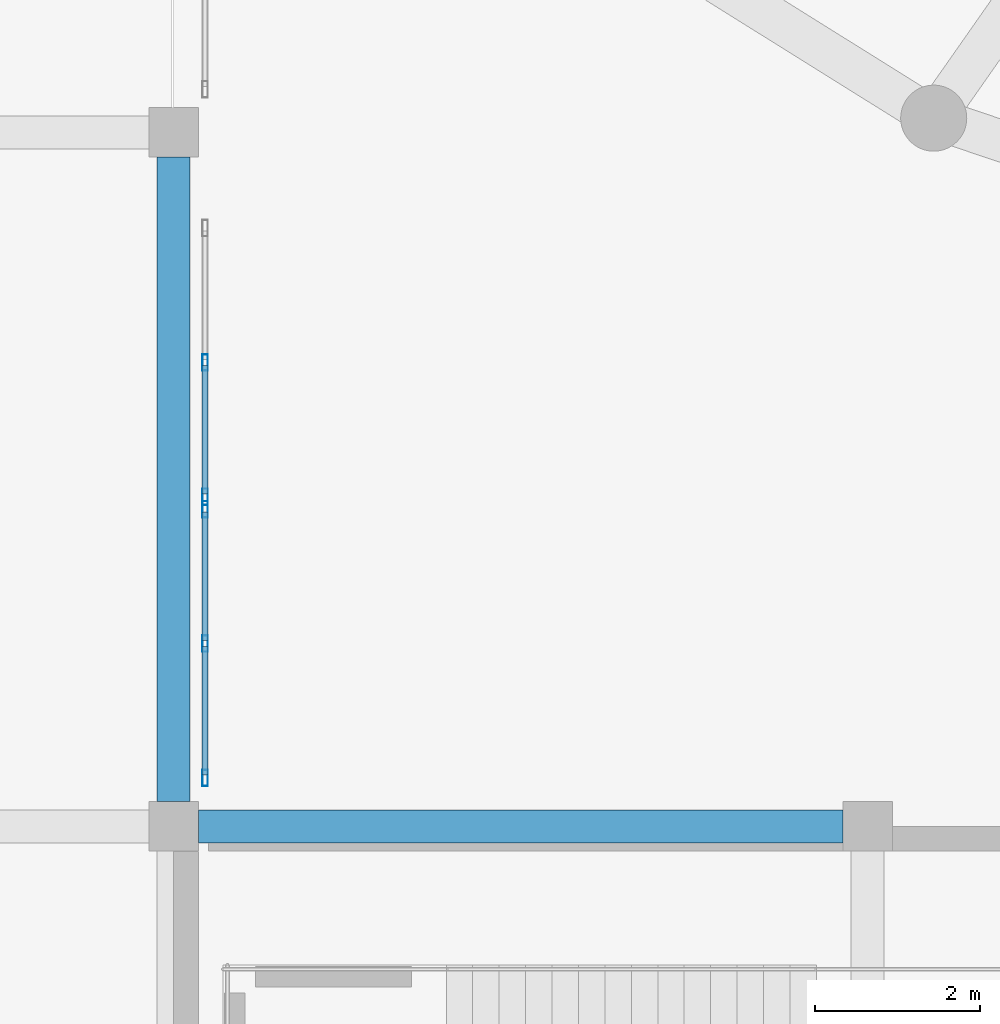
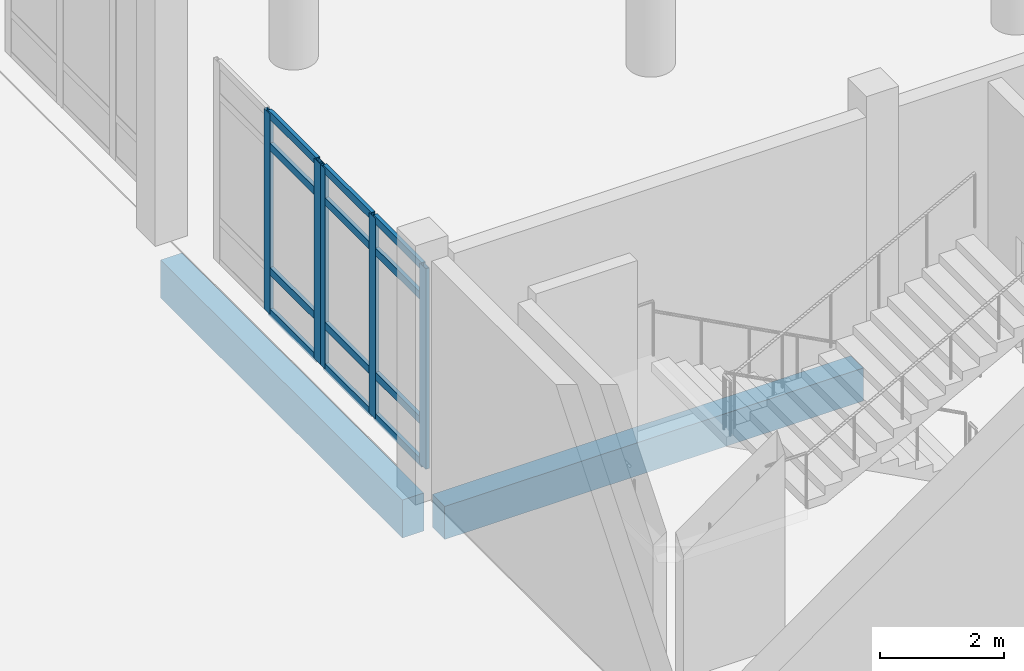
# One storey, part 3 of 64: 17 members, 2 beams, 2 elements without a shape of their own.
"""IFC4 building model written with IfcOpenShell, lengths in metres."""

import ifcopenshell
import ifcopenshell.guid

model = None  # the IFC model being written
_history = None  # IfcOwnerHistory: only IFC2X3 demands one
_inside = {}  # id of a spatial element -> (the spatial element, [elements in it])
_under = {}  # id of a project, library or spatial element -> (it, [spatial elements below it])
_declared = {}  # id of a project -> (the project, [libraries it declares])
_typed = {}  # id of a type object -> (the type object, [elements of that type])
_made_of = {}  # id of a material, layer set ... -> (it, [elements and type objects made of it])


def new_model(schema):
    """Start an empty IFC model of exactly this schema.

    Asked for "IFC4X3", IfcOpenShell would pick the latest addendum, in which some entities
    have other attributes; the version numbers below select the first issue.
    IFC2X3 requires an IfcOwnerHistory on every rooted entity: one is made here for all.
    """
    global model, _history
    if schema == "IFC4X3":
        model = ifcopenshell.file(schema_version=(4, 3, 0, 0))
    else:
        model = ifcopenshell.file(schema=schema)
    _inside.clear()
    _under.clear()
    _declared.clear()
    _typed.clear()
    _made_of.clear()
    _history = None
    if model.schema == "IFC2X3":
        org = make("IfcOrganization", Name="unknown")
        user = make(
            "IfcPersonAndOrganization",
            ThePerson=make("IfcPerson", FamilyName="unknown"),
            TheOrganization=org,
        )
        app = make(
            "IfcApplication",
            ApplicationDeveloper=org,
            Version="unknown",
            ApplicationFullName="unknown",
            ApplicationIdentifier="unknown",
        )
        _history = make(
            "IfcOwnerHistory",
            OwningUser=user,
            OwningApplication=app,
            ChangeAction="ADDED",
            CreationDate=0,
        )
    return model


def make(cls, **values):
    """One entity of the class cls with the attributes given. An attribute that is None is left unset."""
    return model.create_entity(
        cls, **{name: value for name, value in values.items() if value is not None}
    )


def rooted(cls, **values):
    """An entity with a GlobalId (a new one), such as an element, a storey or a relation."""
    return make(cls, GlobalId=ifcopenshell.guid.new(), OwnerHistory=_history, **values)


def si_unit(unit_type, name, prefix=None):
    """IfcSIUnit, for example si_unit("LENGTHUNIT", "METRE", prefix="MILLI")."""
    return make("IfcSIUnit", UnitType=unit_type, Prefix=prefix, Name=name)


def derived_unit(unit_type, elements):
    """IfcDerivedUnit: a product of units, each with its exponent."""
    return make(
        "IfcDerivedUnit",
        Elements=[
            make("IfcDerivedUnitElement", Unit=unit, Exponent=power)
            for unit, power in elements
        ],
        UnitType=unit_type,
    )


def assignment(units):
    """IfcUnitAssignment: the units of a project."""
    return None if units is None else make("IfcUnitAssignment", Units=units)


def point(xyz):
    """IfcCartesianPoint."""
    return None if xyz is None else make("IfcCartesianPoint", Coordinates=xyz)


def direction(xyz):
    """IfcDirection."""
    return None if xyz is None else make("IfcDirection", DirectionRatios=xyz)


def frame(location, z_axis=None, x_axis=None):
    """IfcAxis2Placement3D, a coordinate frame: its origin and axes. An axis left out is left unset."""
    return make(
        "IfcAxis2Placement3D",
        Location=point(location),
        Axis=direction(z_axis),
        RefDirection=direction(x_axis),
    )


def frame_2d(location, x_axis=None):
    """IfcAxis2Placement2D, a coordinate frame in the plane: its origin and x axis."""
    return make(
        "IfcAxis2Placement2D", Location=point(location), RefDirection=direction(x_axis)
    )


def origin():
    """The frame at (0, 0, 0) with its axes left unset."""
    return frame((0.0, 0.0, 0.0))


def origin_2d():
    """The frame at (0, 0) in the plane with its x axis left unset."""
    return frame_2d((0.0, 0.0))


def place(relative_to, where):
    """IfcLocalPlacement: puts the frame where relative to a parent placement (None: the world)."""
    return make(
        "IfcLocalPlacement", PlacementRelTo=relative_to, RelativePlacement=where
    )


def context(
    kind, dimensions, precision=None, world=None, true_north=None, identifier=None
):
    """IfcGeometricRepresentationContext, for example the 3D "Model" context."""
    return make(
        "IfcGeometricRepresentationContext",
        ContextIdentifier=identifier,
        ContextType=kind,
        CoordinateSpaceDimension=dimensions,
        Precision=precision,
        WorldCoordinateSystem=world,
        TrueNorth=true_north,
    )


def subcontext(parent, identifier, kind, view, scale=None):
    """IfcGeometricRepresentationSubContext, for example "Body" below "Model"."""
    return make(
        "IfcGeometricRepresentationSubContext",
        ContextIdentifier=identifier,
        ContextType=kind,
        ParentContext=parent,
        TargetScale=scale,
        TargetView=view,
    )


def project(units=None, contexts=None):
    """IfcProject with its units and contexts."""
    return rooted(
        "IfcProject",
        Name="project",
        RepresentationContexts=contexts,
        UnitsInContext=assignment(units),
    )


def spatial(cls, under=None, at=None, **own):
    """A site, building, storey or space (cls), placed at a placement, below another one or the project."""
    s = rooted(cls, ObjectPlacement=at, **own)
    if under is not None:
        _under.setdefault(under.id(), (under, []))[1].append(s)
    return s


def profile(cls, at=None, kind="AREA", **sizes):
    """A parametric profile (cls). Its sizes go by their IFC names, for example OverallWidth=200.0."""
    return make(cls, ProfileType=kind, Position=at, **sizes)


def rectangle(**sizes):
    """IfcRectangleProfileDef."""
    return profile("IfcRectangleProfileDef", **sizes)


def hollow_rectangle(**sizes):
    """IfcRectangleHollowProfileDef."""
    return profile("IfcRectangleHollowProfileDef", **sizes)


def extrude(swept, where, along, depth):
    """IfcExtrudedAreaSolid: the profile swept, set in the frame where, extruded along a direction by depth."""
    return make(
        "IfcExtrudedAreaSolid",
        SweptArea=swept,
        Position=where,
        ExtrudedDirection=direction(along),
        Depth=depth,
    )


def shape(context_of_items, identifier, shape_type, items):
    """IfcShapeRepresentation: the items that make up one representation, for example the "Body"."""
    return make(
        "IfcShapeRepresentation",
        ContextOfItems=context_of_items,
        RepresentationIdentifier=identifier,
        RepresentationType=shape_type,
        Items=items,
    )


def material(Name=None, Category=None):
    """IfcMaterial."""
    return make("IfcMaterial", Name=Name, Category=Category)


def layer(
    of_material, thickness, ventilated=None, Name=None, Category=None, Priority=None
):
    """IfcMaterialLayer: one layer of a wall or slab, of a material (None: an air gap)."""
    return make(
        "IfcMaterialLayer",
        Material=of_material,
        LayerThickness=thickness,
        IsVentilated=ventilated,
        Name=Name,
        Category=Category,
        Priority=Priority,
    )


def layer_set(layers, Name=None):
    """IfcMaterialLayerSet."""
    return make("IfcMaterialLayerSet", MaterialLayers=layers, LayerSetName=Name)


def material_profile(
    of_material, cross_section, Name=None, Category=None, Priority=None
):
    """IfcMaterialProfile: a cross section and its material."""
    return make(
        "IfcMaterialProfile",
        Name=Name,
        Material=of_material,
        Profile=cross_section,
        Priority=Priority,
        Category=Category,
    )


def profile_set(profiles, Name=None, composite=None):
    """IfcMaterialProfileSet."""
    return make(
        "IfcMaterialProfileSet",
        Name=Name,
        MaterialProfiles=profiles,
        CompositeProfile=composite,
    )


def made_of(thing, what):
    """Note that an element or type object is made of a material, layer set ...; save() writes the relation."""
    if what is not None:
        _made_of.setdefault(what.id(), (what, []))[1].append(thing)
    return thing


def type_object(cls, material=None, **own):
    """A type object (cls), such as IfcWallType, which elements share."""
    return made_of(rooted(cls, **own), material)


def element(
    cls,
    number,
    at=None,
    inside=None,
    cuts=None,
    type_object=None,
    material=None,
    context=None,
    identifier="Body",
    shape_type=None,
    held_by="IfcProductDefinitionShape",
    body=None,
    shapes=None,
    **own,
):
    """One element of the class cls, such as IfcWall. Its Tag is "e" and its number.

    at: its placement. inside: the storey or other place that contains it. cuts: it is an
    opening in that element (IfcRelVoidsElement). A single representation is given by context,
    identifier, shape_type and body (its items); several are given by shapes. held_by: the class
    of the entity that holds the representations. save() writes the other relations.
    """
    e = rooted(cls, Tag="e%d" % number, ObjectPlacement=at, **own)
    if body is not None:
        shapes = [shape(context, identifier, shape_type, body)]
    if shapes is not None:
        e.Representation = make(held_by, Representations=shapes)
    if inside is not None:
        _inside.setdefault(inside.id(), (inside, []))[1].append(e)
    if cuts is not None:
        rooted(
            "IfcRelVoidsElement", RelatingBuildingElement=cuts, RelatedOpeningElement=e
        )
    if type_object is not None:
        _typed.setdefault(type_object.id(), (type_object, []))[1].append(e)
    return made_of(e, material)


def aggregate(whole, parts):
    """IfcRelAggregates: a whole, such as a stair, and the parts it consists of."""
    return rooted("IfcRelAggregates", RelatingObject=whole, RelatedObjects=parts)


def save(model, path):
    """Write the relations noted so far, then the file.

    IfcRelAggregates (storeys below a building ...), IfcRelContainedInSpatialStructure (elements
    in a storey), IfcRelDefinesByType, IfcRelAssociatesMaterial and IfcRelDeclares: one each for
    every whole, place, type object, material and project.
    """
    for whole, parts in _under.values():
        aggregate(whole, parts)
    for where, things in _inside.values():
        rooted(
            "IfcRelContainedInSpatialStructure",
            RelatedElements=things,
            RelatingStructure=where,
        )
    for kind, things in _typed.values():
        rooted("IfcRelDefinesByType", RelatedObjects=things, RelatingType=kind)
    for what, things in _made_of.values():
        rooted("IfcRelAssociatesMaterial", RelatedObjects=things, RelatingMaterial=what)
    for by, libraries in _declared.values():
        rooted("IfcRelDeclares", RelatingContext=by, RelatedDefinitions=libraries)
    model.write(path)


model = new_model("IFC4")

# Units and contexts
model_context = context("Model", 3, precision=1e-05, world=origin(), true_north=direction((0.0, 1.0)))
body_context = subcontext(model_context, "Body", "Model", "MODEL_VIEW")
ifc_project = project(units=[si_unit("LENGTHUNIT", "METRE"), si_unit("AREAUNIT", "SQUARE_METRE"), si_unit("VOLUMEUNIT", "CUBIC_METRE"), si_unit("PLANEANGLEUNIT", "RADIAN"), si_unit("MASSUNIT", "GRAM", prefix="KILO"), derived_unit("THERMALTRANSMITTANCEUNIT", [(si_unit("POWERUNIT", "WATT"), 1), (si_unit("LENGTHUNIT", "METRE"), -2), (si_unit("THERMODYNAMICTEMPERATUREUNIT", "KELVIN"), -1)])], contexts=[model_context])

# Site, building, storey
site_placement = place(None, origin())
site = spatial("IfcSite", under=ifc_project, at=site_placement, CompositionType="ELEMENT")
building_placement = place(site_placement, origin())
building = spatial("IfcBuilding", under=site, at=building_placement, Name="Elbkamm Science Centre", CompositionType="ELEMENT")
storey_placement = place(building_placement, origin())
storey = spatial("IfcBuildingStorey", under=building, at=storey_placement, Name="L00", CompositionType="ELEMENT", Elevation=0.0)

# Beams
ifc_material_1 = material(Name="Concrete C40/50", Category="concrete")
ifc_material_profile_1 = material_profile(ifc_material_1, rectangle(XDim=0.39990234375, YDim=0.64990234375, at=origin_2d()), Name="RC 400x650")
ifc_profile_set_1 = profile_set([ifc_material_profile_1], Name="Concrete C40/50")
beam_type_1 = type_object("IfcBeamType", Name="BM-RC-400x650", PredefinedType="BEAM", material=ifc_profile_set_1)
beam_1_placement = place(storey_placement, frame((42.300048828125, 42.0, -0.625), z_axis=(1.0, 0.0, 0.0), x_axis=(0.0, 1.0, 0.0)))
element("IfcBeam", 1, at=beam_1_placement, inside=storey, type_object=beam_type_1, Name="L00 Primary X-Girder 037", PredefinedType="BEAM", context=body_context, shape_type="SweptSolid", body=[
    extrude(rectangle(XDim=0.39990234375, YDim=0.64990234375, at=origin_2d()), origin(), (0.0, 0.0, 1.0), 7.800048828125),
])
ifc_material_profile_2 = material_profile(ifc_material_1, rectangle(XDim=0.39990234375, YDim=0.75, at=origin_2d()), Name="RC 400x750")
ifc_profile_set_2 = profile_set([ifc_material_profile_2], Name="Concrete C40/50")
beam_type_2 = type_object("IfcBeamType", Name="BM-RC-400x750", PredefinedType="BEAM", material=ifc_profile_set_2)
beam_2_placement = place(storey_placement, frame((42.0, 42.300048828125, -0.675048828125), z_axis=(0.0, 1.0, 0.0), x_axis=(-1.0, 0.0, 0.0)))
element("IfcBeam", 2, at=beam_2_placement, inside=storey, type_object=beam_type_2, Name="L00 Primary Y-Girder 016", PredefinedType="BEAM", context=body_context, shape_type="SweptSolid", body=[
    extrude(rectangle(XDim=0.39990234375, YDim=0.75, at=origin_2d()), origin(), (0.0, 0.0, 1.0), 7.800048828125),
])

# Curtain wall, members
ifc_material_2 = material(Name="Powder-coated aluminium and triple low-E glazing", Category="aluminium")
ifc_layer = layer(ifc_material_2, 0.159912109375)
ifc_layer_set = layer_set([ifc_layer], Name="Powder-coated aluminium and triple low-E glazing")
curtain_wall_type = type_object("IfcCurtainWallType", Name="CW-UNIT-3320x3960", PredefinedType="USERDEFINED", material=ifc_layer_set)
curtain_wall_1_placement = place(storey_placement, origin())
curtain_wall_1 = element("IfcCurtainWall", 3, at=curtain_wall_1_placement, inside=storey, type_object=curtain_wall_type, Name="L00 Unitised Curtain Wall 144", ObjectType="UNITISED CURTAIN WALL", PredefinedType="USERDEFINED")
ifc_material_3 = material(Name="Powder-coated aluminium EN AW-6060", Category="aluminium")
ifc_material_profile_3 = material_profile(ifc_material_3, hollow_rectangle(XDim=0.070068359375, YDim=0.199951171875, WallThickness=0.00439453125, at=origin_2d()), Name="ALU M70x200")
ifc_profile_set_3 = profile_set([ifc_material_profile_3], Name="Powder-coated aluminium EN AW-6060")
member_type_1 = type_object("IfcMemberType", Name="CW-MUL-70x200", PredefinedType="MULLION", material=ifc_profile_set_3)
member_1_placement = place(storey_placement, frame((42.3798828125, 42.5849609375, 0.0), z_axis=(0.0, 0.0, 1.0), x_axis=(-1.0, 0.0, 0.0)))
member_1 = element("IfcMember", 4, at=member_1_placement, type_object=member_type_1, Name="CW-067 mullion 1", PredefinedType="MULLION", context=body_context, shape_type="SweptSolid", body=[
    extrude(hollow_rectangle(XDim=0.070068359375, YDim=0.199951171875, WallThickness=0.00439453125, at=origin_2d()), origin(), (0.0, 0.0, 1.0), 3.949951171875),
])
member_2_placement = place(storey_placement, frame((42.3798828125, 44.21142578125, 0.0), z_axis=(0.0, 0.0, 1.0), x_axis=(-1.0, 0.0, 0.0)))
member_2 = element("IfcMember", 5, at=member_2_placement, type_object=member_type_1, Name="CW-067 mullion 2", PredefinedType="MULLION", context=body_context, shape_type="SweptSolid", body=[
    extrude(hollow_rectangle(XDim=0.070068359375, YDim=0.199951171875, WallThickness=0.00439453125, at=origin_2d()), origin(), (0.0, 0.0, 1.0), 3.949951171875),
])
member_3_placement = place(storey_placement, frame((42.3798828125, 45.837890625, 0.0), z_axis=(0.0, 0.0, 1.0), x_axis=(-1.0, 0.0, 0.0)))
member_3 = element("IfcMember", 6, at=member_3_placement, type_object=member_type_1, Name="CW-067 mullion 3", PredefinedType="MULLION", context=body_context, shape_type="SweptSolid", body=[
    extrude(hollow_rectangle(XDim=0.070068359375, YDim=0.199951171875, WallThickness=0.00439453125, at=origin_2d()), origin(), (0.0, 0.0, 1.0), 3.949951171875),
])

curtain_wall_2_placement = place(storey_placement, origin())
curtain_wall_2 = element("IfcCurtainWall", 7, at=curtain_wall_2_placement, inside=storey, type_object=curtain_wall_type, Name="L00 Unitised Curtain Wall 145", ObjectType="UNITISED CURTAIN WALL", PredefinedType="USERDEFINED")
member_4_placement = place(storey_placement, frame((42.3798828125, 45.988037109375, 0.0), z_axis=(0.0, 0.0, 1.0), x_axis=(-1.0, 0.0, 0.0)))
member_4 = element("IfcMember", 8, at=member_4_placement, type_object=member_type_1, Name="CW-067 mullion 1", PredefinedType="MULLION", context=body_context, shape_type="SweptSolid", body=[
    extrude(hollow_rectangle(XDim=0.070068359375, YDim=0.199951171875, WallThickness=0.00439453125, at=origin_2d()), origin(), (0.0, 0.0, 1.0), 3.949951171875),
])
member_5_placement = place(storey_placement, frame((42.3798828125, 47.614501953125, 0.0), z_axis=(0.0, 0.0, 1.0), x_axis=(-1.0, 0.0, 0.0)))
member_5 = element("IfcMember", 9, at=member_5_placement, type_object=member_type_1, Name="CW-067 mullion 2", PredefinedType="MULLION", context=body_context, shape_type="SweptSolid", body=[
    extrude(hollow_rectangle(XDim=0.070068359375, YDim=0.199951171875, WallThickness=0.00439453125, at=origin_2d()), origin(), (0.0, 0.0, 1.0), 3.949951171875),
])

# Member
ifc_material_profile_4 = material_profile(ifc_material_3, hollow_rectangle(XDim=0.070068359375, YDim=0.14990234375, WallThickness=0.00390625, at=origin_2d()), Name="ALU T70x150")
ifc_profile_set_4 = profile_set([ifc_material_profile_4], Name="Powder-coated aluminium EN AW-6060")
member_type_2 = type_object("IfcMemberType", Name="CW-TRN-70x150", PredefinedType="USERDEFINED", material=ifc_profile_set_4)
member_6_placement = place(storey_placement, frame((42.3798828125, 42.6201171875, 0.034912109375), z_axis=(0.0, 1.0, 0.0), x_axis=(-1.0, 0.0, 0.0)))
member_6 = element("IfcMember", 10, at=member_6_placement, type_object=member_type_2, Name="CW-067 transom 1.1", ObjectType="TRANSOM", PredefinedType="USERDEFINED", context=body_context, shape_type="SweptSolid", body=[
    extrude(hollow_rectangle(XDim=0.070068359375, YDim=0.14990234375, WallThickness=0.00390625, at=origin_2d()), origin(), (0.0, 0.0, 1.0), 1.556396484375),
])

member_7_placement = place(storey_placement, frame((42.3798828125, 42.6201171875, 0.85009765625), z_axis=(0.0, 1.0, 0.0), x_axis=(-1.0, 0.0, 0.0)))
member_7 = element("IfcMember", 11, at=member_7_placement, type_object=member_type_2, Name="CW-067 transom 1.2", ObjectType="TRANSOM", PredefinedType="USERDEFINED", context=body_context, shape_type="SweptSolid", body=[
    extrude(hollow_rectangle(XDim=0.070068359375, YDim=0.14990234375, WallThickness=0.00390625, at=origin_2d()), origin(), (0.0, 0.0, 1.0), 1.556396484375),
])

member_8_placement = place(storey_placement, frame((42.3798828125, 42.6201171875, 3.300048828125), z_axis=(0.0, 1.0, 0.0), x_axis=(-1.0, 0.0, 0.0)))
member_8 = element("IfcMember", 12, at=member_8_placement, type_object=member_type_2, Name="CW-067 transom 1.3", ObjectType="TRANSOM", PredefinedType="USERDEFINED", context=body_context, shape_type="SweptSolid", body=[
    extrude(hollow_rectangle(XDim=0.070068359375, YDim=0.14990234375, WallThickness=0.00390625, at=origin_2d()), origin(), (0.0, 0.0, 1.0), 1.556396484375),
])

member_9_placement = place(storey_placement, frame((42.3798828125, 42.6201171875, 3.9150390625), z_axis=(0.0, 1.0, 0.0), x_axis=(-1.0, 0.0, 0.0)))
member_9 = element("IfcMember", 13, at=member_9_placement, type_object=member_type_2, Name="CW-067 transom 1.4", ObjectType="TRANSOM", PredefinedType="USERDEFINED", context=body_context, shape_type="SweptSolid", body=[
    extrude(hollow_rectangle(XDim=0.070068359375, YDim=0.14990234375, WallThickness=0.00390625, at=origin_2d()), origin(), (0.0, 0.0, 1.0), 1.556396484375),
])

member_10_placement = place(storey_placement, frame((42.3798828125, 44.24658203125, 0.034912109375), z_axis=(0.0, 1.0, 0.0), x_axis=(-1.0, 0.0, 0.0)))
member_10 = element("IfcMember", 14, at=member_10_placement, type_object=member_type_2, Name="CW-067 transom 2.1", ObjectType="TRANSOM", PredefinedType="USERDEFINED", context=body_context, shape_type="SweptSolid", body=[
    extrude(hollow_rectangle(XDim=0.070068359375, YDim=0.14990234375, WallThickness=0.00390625, at=origin_2d()), origin(), (0.0, 0.0, 1.0), 1.556396484375),
])

member_11_placement = place(storey_placement, frame((42.3798828125, 44.24658203125, 0.85009765625), z_axis=(0.0, 1.0, 0.0), x_axis=(-1.0, 0.0, 0.0)))
member_11 = element("IfcMember", 15, at=member_11_placement, type_object=member_type_2, Name="CW-067 transom 2.2", ObjectType="TRANSOM", PredefinedType="USERDEFINED", context=body_context, shape_type="SweptSolid", body=[
    extrude(hollow_rectangle(XDim=0.070068359375, YDim=0.14990234375, WallThickness=0.00390625, at=origin_2d()), origin(), (0.0, 0.0, 1.0), 1.556396484375),
])

member_12_placement = place(storey_placement, frame((42.3798828125, 44.24658203125, 3.300048828125), z_axis=(0.0, 1.0, 0.0), x_axis=(-1.0, 0.0, 0.0)))
member_12 = element("IfcMember", 16, at=member_12_placement, type_object=member_type_2, Name="CW-067 transom 2.3", ObjectType="TRANSOM", PredefinedType="USERDEFINED", context=body_context, shape_type="SweptSolid", body=[
    extrude(hollow_rectangle(XDim=0.070068359375, YDim=0.14990234375, WallThickness=0.00390625, at=origin_2d()), origin(), (0.0, 0.0, 1.0), 1.556396484375),
])

member_13_placement = place(storey_placement, frame((42.3798828125, 44.24658203125, 3.9150390625), z_axis=(0.0, 1.0, 0.0), x_axis=(-1.0, 0.0, 0.0)))
member_13 = element("IfcMember", 17, at=member_13_placement, type_object=member_type_2, Name="CW-067 transom 2.4", ObjectType="TRANSOM", PredefinedType="USERDEFINED", context=body_context, shape_type="SweptSolid", body=[
    extrude(hollow_rectangle(XDim=0.070068359375, YDim=0.14990234375, WallThickness=0.00390625, at=origin_2d()), origin(), (0.0, 0.0, 1.0), 1.556396484375),
])

aggregate(curtain_wall_1, [member_1, member_2, member_3, member_6, member_7, member_8, member_9, member_10, member_11, member_12, member_13])

member_14_placement = place(storey_placement, frame((42.3798828125, 46.02294921875, 0.034912109375), z_axis=(0.0, 1.0, 0.0), x_axis=(-1.0, 0.0, 0.0)))
member_14 = element("IfcMember", 18, at=member_14_placement, type_object=member_type_2, Name="CW-067 transom 1.1", ObjectType="TRANSOM", PredefinedType="USERDEFINED", context=body_context, shape_type="SweptSolid", body=[
    extrude(hollow_rectangle(XDim=0.070068359375, YDim=0.14990234375, WallThickness=0.00390625, at=origin_2d()), origin(), (0.0, 0.0, 1.0), 1.556640625),
])

member_15_placement = place(storey_placement, frame((42.3798828125, 46.02294921875, 0.85009765625), z_axis=(0.0, 1.0, 0.0), x_axis=(-1.0, 0.0, 0.0)))
member_15 = element("IfcMember", 19, at=member_15_placement, type_object=member_type_2, Name="CW-067 transom 1.2", ObjectType="TRANSOM", PredefinedType="USERDEFINED", context=body_context, shape_type="SweptSolid", body=[
    extrude(hollow_rectangle(XDim=0.070068359375, YDim=0.14990234375, WallThickness=0.00390625, at=origin_2d()), origin(), (0.0, 0.0, 1.0), 1.556640625),
])

member_16_placement = place(storey_placement, frame((42.3798828125, 46.02294921875, 3.300048828125), z_axis=(0.0, 1.0, 0.0), x_axis=(-1.0, 0.0, 0.0)))
member_16 = element("IfcMember", 20, at=member_16_placement, type_object=member_type_2, Name="CW-067 transom 1.3", ObjectType="TRANSOM", PredefinedType="USERDEFINED", context=body_context, shape_type="SweptSolid", body=[
    extrude(hollow_rectangle(XDim=0.070068359375, YDim=0.14990234375, WallThickness=0.00390625, at=origin_2d()), origin(), (0.0, 0.0, 1.0), 1.556640625),
])

member_17_placement = place(storey_placement, frame((42.3798828125, 46.02294921875, 3.9150390625), z_axis=(0.0, 1.0, 0.0), x_axis=(-1.0, 0.0, 0.0)))
member_17 = element("IfcMember", 21, at=member_17_placement, type_object=member_type_2, Name="CW-067 transom 1.4", ObjectType="TRANSOM", PredefinedType="USERDEFINED", context=body_context, shape_type="SweptSolid", body=[
    extrude(hollow_rectangle(XDim=0.070068359375, YDim=0.14990234375, WallThickness=0.00390625, at=origin_2d()), origin(), (0.0, 0.0, 1.0), 1.556640625),
])

aggregate(curtain_wall_2, [member_4, member_5, member_14, member_15, member_16, member_17])

save(model, "model.ifc")
